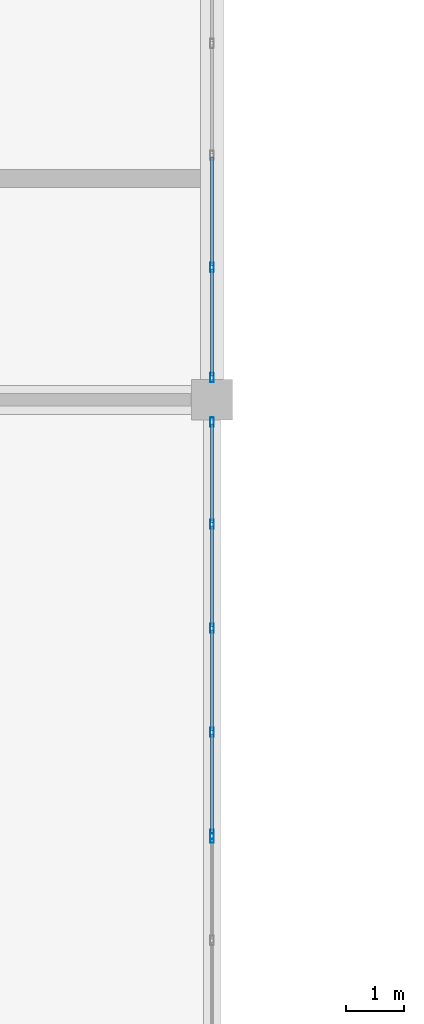
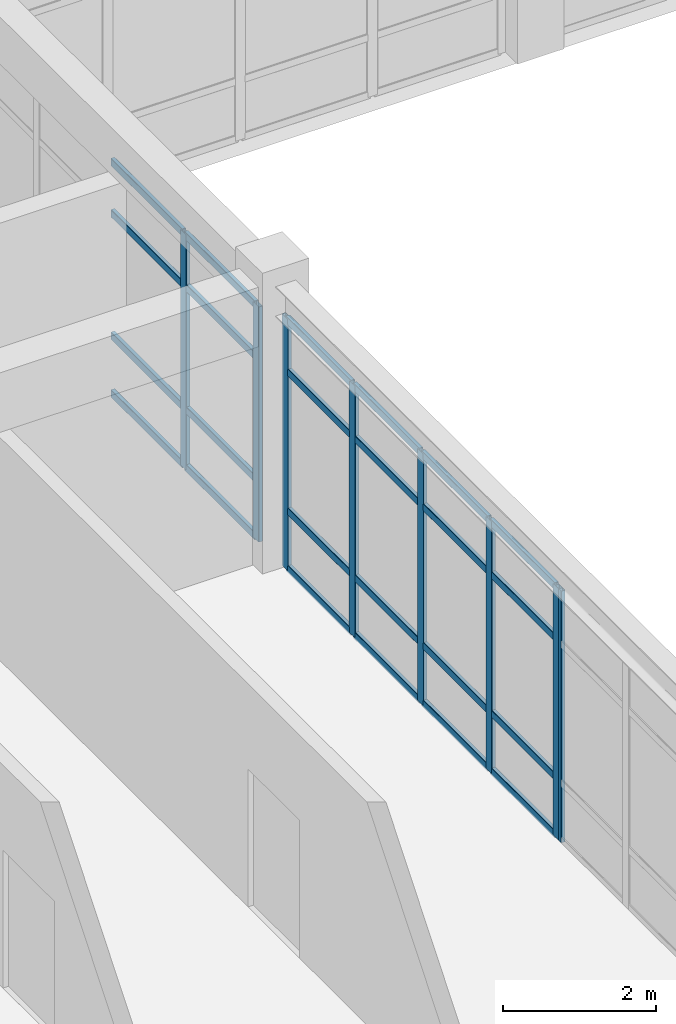
# One storey, part 38 of 64: 32 members, 3 elements without a shape of their own.
"""IFC4 building model written with IfcOpenShell, lengths in metres."""

from ifc_helpers import new_model, si_unit, derived_unit, direction, frame, origin, origin_2d, place, context, subcontext, project, spatial, hollow_rectangle, extrude, material, layer, layer_set, material_profile, profile_set, type_object, element, aggregate, save


model = new_model("IFC4")

# Units and contexts
model_context = context("Model", 3, precision=1e-05, world=origin(), true_north=direction((0.0, 1.0)))
body_context = subcontext(model_context, "Body", "Model", "MODEL_VIEW")
ifc_project = project(units=[si_unit("LENGTHUNIT", "METRE"), si_unit("AREAUNIT", "SQUARE_METRE"), si_unit("VOLUMEUNIT", "CUBIC_METRE"), si_unit("PLANEANGLEUNIT", "RADIAN"), si_unit("MASSUNIT", "GRAM", prefix="KILO"), derived_unit("THERMALTRANSMITTANCEUNIT", [(si_unit("MASSUNIT", "GRAM", prefix="KILO"), 1), (si_unit("TIMEUNIT", "SECOND"), -3), (si_unit("THERMODYNAMICTEMPERATUREUNIT", "KELVIN"), -1)])], contexts=[model_context])

# Site, building, storey
site_placement = place(None, origin())
site = spatial("IfcSite", under=ifc_project, at=site_placement, CompositionType="ELEMENT")
building_placement = place(site_placement, origin())
building = spatial("IfcBuilding", under=site, at=building_placement, Name="Qinzheling Arcade Emporium", CompositionType="ELEMENT")
storey_placement = place(building_placement, frame((0.0, 0.0, 31.5)))
storey = spatial("IfcBuildingStorey", under=building, at=storey_placement, Name="L07", CompositionType="ELEMENT", Elevation=31.5)

# Curtain wall, members
ifc_material_1 = material(Name="Anodised aluminium and solar-control double glazing", Category="aluminium")
ifc_layer = layer(ifc_material_1, 0.159912109375, Name="Anodised aluminium and solar-control double glazing", Category="aluminium")
ifc_layer_set = layer_set([ifc_layer], Name="Anodised aluminium and solar-control double glazing")
curtain_wall_type = type_object("IfcCurtainWallType", Name="Atrium Clerestory Curtain Wall", PredefinedType="NOTDEFINED", material=ifc_layer_set)
curtain_wall_1_placement = place(storey_placement, origin())
curtain_wall_1 = element("IfcCurtainWall", 1, at=curtain_wall_1_placement, inside=storey, type_object=curtain_wall_type, Name="Curtain Wall CW-L07-424", PredefinedType="NOTDEFINED")
ifc_material_2 = material(Name="Anodised aluminium 6063-T6", Category="aluminium")
ifc_material_profile_1 = material_profile(ifc_material_2, hollow_rectangle(XDim=0.06005859375, YDim=0.159912109375, WallThickness=0.00390625, InnerFilletRadius=0.00390625, OuterFilletRadius=0.008056640625, at=origin_2d()), Name="RHS 160x60x4", Category="aluminium")
ifc_profile_set_1 = profile_set([ifc_material_profile_1], Name="Anodised aluminium 6063-T6")
member_type_1 = type_object("IfcMemberType", Name="Curtain Wall Mullion RHS160x60", PredefinedType="MULLION", material=ifc_profile_set_1)
member_1_placement = place(storey_placement, frame((104.39990234375, 67.676025390625, 0.0), z_axis=(0.0, 0.0, 1.0), x_axis=(1.0, 0.0, 0.0)))
member_1 = element("IfcMember", 2, at=member_1_placement, type_object=member_type_1, Name="CW03 mullion 4", PredefinedType="MULLION", context=body_context, shape_type="SweptSolid", body=[
    extrude(hollow_rectangle(XDim=0.06005859375, YDim=0.159912109375, WallThickness=0.00390625, InnerFilletRadius=0.00390625, OuterFilletRadius=0.008056640625, at=origin_2d()), origin(), (0.0, 0.0, 1.0), 3.7548828125),
])
member_2_placement = place(storey_placement, frame((104.39990234375, 65.781982421875, 0.0), z_axis=(0.0, 0.0, 1.0), x_axis=(1.0, 0.0, 0.0)))
member_2 = element("IfcMember", 3, at=member_2_placement, type_object=member_type_1, Name="CW03 mullion 5", PredefinedType="MULLION", context=body_context, shape_type="SweptSolid", body=[
    extrude(hollow_rectangle(XDim=0.06005859375, YDim=0.159912109375, WallThickness=0.00390625, InnerFilletRadius=0.00390625, OuterFilletRadius=0.008056640625, at=origin_2d()), origin(), (0.0, 0.0, 1.0), 3.7548828125),
])

curtain_wall_2_placement = place(storey_placement, origin())
curtain_wall_2 = element("IfcCurtainWall", 4, at=curtain_wall_2_placement, inside=storey, type_object=curtain_wall_type, Name="Curtain Wall CW-L07-425", PredefinedType="NOTDEFINED")
member_3_placement = place(storey_placement, frame((104.39990234375, 65.01806640625, 0.0), z_axis=(0.0, 0.0, 1.0), x_axis=(1.0, 0.0, 0.0)))
member_3 = element("IfcMember", 5, at=member_3_placement, type_object=member_type_1, Name="CW03 mullion 1", PredefinedType="MULLION", context=body_context, shape_type="SweptSolid", body=[
    extrude(hollow_rectangle(XDim=0.06005859375, YDim=0.159912109375, WallThickness=0.00390625, InnerFilletRadius=0.00390625, OuterFilletRadius=0.008056640625, at=origin_2d()), origin(), (0.0, 0.0, 1.0), 4.01708984375),
])
member_4_placement = place(storey_placement, frame((104.39990234375, 63.261474609375, 0.0), z_axis=(0.0, 0.0, 1.0), x_axis=(1.0, 0.0, 0.0)))
member_4 = element("IfcMember", 6, at=member_4_placement, type_object=member_type_1, Name="CW03 mullion 2", PredefinedType="MULLION", context=body_context, shape_type="SweptSolid", body=[
    extrude(hollow_rectangle(XDim=0.06005859375, YDim=0.159912109375, WallThickness=0.00390625, InnerFilletRadius=0.00390625, OuterFilletRadius=0.008056640625, at=origin_2d()), origin(), (0.0, 0.0, 1.0), 4.01708984375),
])
member_5_placement = place(storey_placement, frame((104.39990234375, 61.47509765625, 0.0), z_axis=(0.0, 0.0, 1.0), x_axis=(1.0, 0.0, 0.0)))
member_5 = element("IfcMember", 7, at=member_5_placement, type_object=member_type_1, Name="CW03 mullion 3", PredefinedType="MULLION", context=body_context, shape_type="SweptSolid", body=[
    extrude(hollow_rectangle(XDim=0.06005859375, YDim=0.159912109375, WallThickness=0.00390625, InnerFilletRadius=0.00390625, OuterFilletRadius=0.008056640625, at=origin_2d()), origin(), (0.0, 0.0, 1.0), 4.01708984375),
])
member_6_placement = place(storey_placement, frame((104.39990234375, 59.6884765625, 0.0), z_axis=(0.0, 0.0, 1.0), x_axis=(1.0, 0.0, 0.0)))
member_6 = element("IfcMember", 8, at=member_6_placement, type_object=member_type_1, Name="CW03 mullion 4", PredefinedType="MULLION", context=body_context, shape_type="SweptSolid", body=[
    extrude(hollow_rectangle(XDim=0.06005859375, YDim=0.159912109375, WallThickness=0.00390625, InnerFilletRadius=0.00390625, OuterFilletRadius=0.008056640625, at=origin_2d()), origin(), (0.0, 0.0, 1.0), 4.01708984375),
])
member_7_placement = place(storey_placement, frame((104.39990234375, 57.931884765625, 0.0), z_axis=(0.0, 0.0, 1.0), x_axis=(1.0, 0.0, 0.0)))
member_7 = element("IfcMember", 9, at=member_7_placement, type_object=member_type_1, Name="CW03 mullion 5", PredefinedType="MULLION", context=body_context, shape_type="SweptSolid", body=[
    extrude(hollow_rectangle(XDim=0.06005859375, YDim=0.159912109375, WallThickness=0.00390625, InnerFilletRadius=0.00390625, OuterFilletRadius=0.008056640625, at=origin_2d()), origin(), (0.0, 0.0, 1.0), 4.01708984375),
])

# Curtain wall, member
curtain_wall_3_placement = place(storey_placement, origin())
curtain_wall_3 = element("IfcCurtainWall", 10, at=curtain_wall_3_placement, inside=storey, type_object=curtain_wall_type, Name="Curtain Wall CW-L07-426", PredefinedType="NOTDEFINED")
member_8_placement = place(storey_placement, frame((104.39990234375, 57.867919921875, 0.0), z_axis=(0.0, 0.0, 1.0), x_axis=(1.0, 0.0, 0.0)))
member_8 = element("IfcMember", 11, at=member_8_placement, type_object=member_type_1, Name="CW03 mullion 1", PredefinedType="MULLION", context=body_context, shape_type="SweptSolid", body=[
    extrude(hollow_rectangle(XDim=0.06005859375, YDim=0.159912109375, WallThickness=0.00390625, InnerFilletRadius=0.00390625, OuterFilletRadius=0.008056640625, at=origin_2d()), origin(), (0.0, 0.0, 1.0), 4.01708984375),
])
aggregate(curtain_wall_3, [member_8])

# Member
ifc_material_profile_2 = material_profile(ifc_material_2, hollow_rectangle(XDim=0.06005859375, YDim=0.1201171875, WallThickness=0.00390625, InnerFilletRadius=0.00390625, OuterFilletRadius=0.008056640625, at=origin_2d()), Name="RHS 120x60x4", Category="aluminium")
ifc_profile_set_2 = profile_set([ifc_material_profile_2], Name="Anodised aluminium 6063-T6")
member_type_2 = type_object("IfcMemberType", Name="Curtain Wall Transom RHS120x60", PredefinedType="USERDEFINED", material=ifc_profile_set_2)
member_9_placement = place(storey_placement, frame((104.39990234375, 69.570068359375, 0.030029296875), z_axis=(0.0, -1.0, 0.0), x_axis=(1.0, 0.0, 0.0)))
member_9 = element("IfcMember", 12, at=member_9_placement, type_object=member_type_2, Name="CW03 transom 3.1", ObjectType="TRANSOM", PredefinedType="USERDEFINED", context=body_context, shape_type="SweptSolid", body=[
    extrude(hollow_rectangle(XDim=0.06005859375, YDim=0.1201171875, WallThickness=0.00390625, InnerFilletRadius=0.00390625, OuterFilletRadius=0.008056640625, at=origin_2d()), origin(), (0.0, 0.0, 1.0), 1.864013671875),
])

member_10_placement = place(storey_placement, frame((104.39990234375, 69.570068359375, 0.949951171875), z_axis=(0.0, -1.0, 0.0), x_axis=(1.0, 0.0, 0.0)))
member_10 = element("IfcMember", 13, at=member_10_placement, type_object=member_type_2, Name="CW03 transom 3.2", ObjectType="TRANSOM", PredefinedType="USERDEFINED", context=body_context, shape_type="SweptSolid", body=[
    extrude(hollow_rectangle(XDim=0.06005859375, YDim=0.1201171875, WallThickness=0.00390625, InnerFilletRadius=0.00390625, OuterFilletRadius=0.008056640625, at=origin_2d()), origin(), (0.0, 0.0, 1.0), 1.864013671875),
])

member_11_placement = place(storey_placement, frame((104.39990234375, 69.570068359375, 2.905029296875), z_axis=(0.0, -1.0, 0.0), x_axis=(1.0, 0.0, 0.0)))
member_11 = element("IfcMember", 14, at=member_11_placement, type_object=member_type_2, Name="CW03 transom 3.3", ObjectType="TRANSOM", PredefinedType="USERDEFINED", context=body_context, shape_type="SweptSolid", body=[
    extrude(hollow_rectangle(XDim=0.06005859375, YDim=0.1201171875, WallThickness=0.00390625, InnerFilletRadius=0.00390625, OuterFilletRadius=0.008056640625, at=origin_2d()), origin(), (0.0, 0.0, 1.0), 1.864013671875),
])

member_12_placement = place(storey_placement, frame((104.39990234375, 69.570068359375, 3.72509765625), z_axis=(0.0, -1.0, 0.0), x_axis=(1.0, 0.0, 0.0)))
member_12 = element("IfcMember", 15, at=member_12_placement, type_object=member_type_2, Name="CW03 transom 3.4", ObjectType="TRANSOM", PredefinedType="USERDEFINED", context=body_context, shape_type="SweptSolid", body=[
    extrude(hollow_rectangle(XDim=0.06005859375, YDim=0.1201171875, WallThickness=0.00390625, InnerFilletRadius=0.00390625, OuterFilletRadius=0.008056640625, at=origin_2d()), origin(), (0.0, 0.0, 1.0), 1.864013671875),
])

member_13_placement = place(storey_placement, frame((104.39990234375, 67.64599609375, 0.030029296875), z_axis=(0.0, -1.0, 0.0), x_axis=(1.0, 0.0, 0.0)))
member_13 = element("IfcMember", 16, at=member_13_placement, type_object=member_type_2, Name="CW03 transom 4.1", ObjectType="TRANSOM", PredefinedType="USERDEFINED", context=body_context, shape_type="SweptSolid", body=[
    extrude(hollow_rectangle(XDim=0.06005859375, YDim=0.1201171875, WallThickness=0.00390625, InnerFilletRadius=0.00390625, OuterFilletRadius=0.008056640625, at=origin_2d()), origin(), (0.0, 0.0, 1.0), 1.833984375),
])

member_14_placement = place(storey_placement, frame((104.39990234375, 67.64599609375, 0.949951171875), z_axis=(0.0, -1.0, 0.0), x_axis=(1.0, 0.0, 0.0)))
member_14 = element("IfcMember", 17, at=member_14_placement, type_object=member_type_2, Name="CW03 transom 4.2", ObjectType="TRANSOM", PredefinedType="USERDEFINED", context=body_context, shape_type="SweptSolid", body=[
    extrude(hollow_rectangle(XDim=0.06005859375, YDim=0.1201171875, WallThickness=0.00390625, InnerFilletRadius=0.00390625, OuterFilletRadius=0.008056640625, at=origin_2d()), origin(), (0.0, 0.0, 1.0), 1.833984375),
])

member_15_placement = place(storey_placement, frame((104.39990234375, 67.64599609375, 2.905029296875), z_axis=(0.0, -1.0, 0.0), x_axis=(1.0, 0.0, 0.0)))
member_15 = element("IfcMember", 18, at=member_15_placement, type_object=member_type_2, Name="CW03 transom 4.3", ObjectType="TRANSOM", PredefinedType="USERDEFINED", context=body_context, shape_type="SweptSolid", body=[
    extrude(hollow_rectangle(XDim=0.06005859375, YDim=0.1201171875, WallThickness=0.00390625, InnerFilletRadius=0.00390625, OuterFilletRadius=0.008056640625, at=origin_2d()), origin(), (0.0, 0.0, 1.0), 1.833984375),
])

member_16_placement = place(storey_placement, frame((104.39990234375, 67.64599609375, 3.72509765625), z_axis=(0.0, -1.0, 0.0), x_axis=(1.0, 0.0, 0.0)))
member_16 = element("IfcMember", 19, at=member_16_placement, type_object=member_type_2, Name="CW03 transom 4.4", ObjectType="TRANSOM", PredefinedType="USERDEFINED", context=body_context, shape_type="SweptSolid", body=[
    extrude(hollow_rectangle(XDim=0.06005859375, YDim=0.1201171875, WallThickness=0.00390625, InnerFilletRadius=0.00390625, OuterFilletRadius=0.008056640625, at=origin_2d()), origin(), (0.0, 0.0, 1.0), 1.833984375),
])

aggregate(curtain_wall_1, [member_1, member_2, member_9, member_10, member_11, member_12, member_13, member_14, member_15, member_16])

member_17_placement = place(storey_placement, frame((104.39990234375, 64.988037109375, 0.030029296875), z_axis=(0.0, -1.0, 0.0), x_axis=(1.0, 0.0, 0.0)))
member_17 = element("IfcMember", 20, at=member_17_placement, type_object=member_type_2, Name="CW03 transom 1.1", ObjectType="TRANSOM", PredefinedType="USERDEFINED", context=body_context, shape_type="SweptSolid", body=[
    extrude(hollow_rectangle(XDim=0.06005859375, YDim=0.1201171875, WallThickness=0.00390625, InnerFilletRadius=0.00390625, OuterFilletRadius=0.008056640625, at=origin_2d()), origin(), (0.0, 0.0, 1.0), 1.696533203125),
])

member_18_placement = place(storey_placement, frame((104.39990234375, 64.988037109375, 0.949951171875), z_axis=(0.0, -1.0, 0.0), x_axis=(1.0, 0.0, 0.0)))
member_18 = element("IfcMember", 21, at=member_18_placement, type_object=member_type_2, Name="CW03 transom 1.2", ObjectType="TRANSOM", PredefinedType="USERDEFINED", context=body_context, shape_type="SweptSolid", body=[
    extrude(hollow_rectangle(XDim=0.06005859375, YDim=0.1201171875, WallThickness=0.00390625, InnerFilletRadius=0.00390625, OuterFilletRadius=0.008056640625, at=origin_2d()), origin(), (0.0, 0.0, 1.0), 1.696533203125),
])

member_19_placement = place(storey_placement, frame((104.39990234375, 64.988037109375, 3.1669921875), z_axis=(0.0, -1.0, 0.0), x_axis=(1.0, 0.0, 0.0)))
member_19 = element("IfcMember", 22, at=member_19_placement, type_object=member_type_2, Name="CW03 transom 1.3", ObjectType="TRANSOM", PredefinedType="USERDEFINED", context=body_context, shape_type="SweptSolid", body=[
    extrude(hollow_rectangle(XDim=0.06005859375, YDim=0.1201171875, WallThickness=0.00390625, InnerFilletRadius=0.00390625, OuterFilletRadius=0.008056640625, at=origin_2d()), origin(), (0.0, 0.0, 1.0), 1.696533203125),
])

member_20_placement = place(storey_placement, frame((104.39990234375, 64.988037109375, 3.987060546875), z_axis=(0.0, -1.0, 0.0), x_axis=(1.0, 0.0, 0.0)))
member_20 = element("IfcMember", 23, at=member_20_placement, type_object=member_type_2, Name="CW03 transom 1.4", ObjectType="TRANSOM", PredefinedType="USERDEFINED", context=body_context, shape_type="SweptSolid", body=[
    extrude(hollow_rectangle(XDim=0.06005859375, YDim=0.1201171875, WallThickness=0.00390625, InnerFilletRadius=0.00390625, OuterFilletRadius=0.008056640625, at=origin_2d()), origin(), (0.0, 0.0, 1.0), 1.696533203125),
])

member_21_placement = place(storey_placement, frame((104.39990234375, 63.2314453125, 0.030029296875), z_axis=(0.0, -1.0, 0.0), x_axis=(1.0, 0.0, 0.0)))
member_21 = element("IfcMember", 24, at=member_21_placement, type_object=member_type_2, Name="CW03 transom 2.1", ObjectType="TRANSOM", PredefinedType="USERDEFINED", context=body_context, shape_type="SweptSolid", body=[
    extrude(hollow_rectangle(XDim=0.06005859375, YDim=0.1201171875, WallThickness=0.00390625, InnerFilletRadius=0.00390625, OuterFilletRadius=0.008056640625, at=origin_2d()), origin(), (0.0, 0.0, 1.0), 1.7265625),
])

member_22_placement = place(storey_placement, frame((104.39990234375, 63.2314453125, 0.949951171875), z_axis=(0.0, -1.0, 0.0), x_axis=(1.0, 0.0, 0.0)))
member_22 = element("IfcMember", 25, at=member_22_placement, type_object=member_type_2, Name="CW03 transom 2.2", ObjectType="TRANSOM", PredefinedType="USERDEFINED", context=body_context, shape_type="SweptSolid", body=[
    extrude(hollow_rectangle(XDim=0.06005859375, YDim=0.1201171875, WallThickness=0.00390625, InnerFilletRadius=0.00390625, OuterFilletRadius=0.008056640625, at=origin_2d()), origin(), (0.0, 0.0, 1.0), 1.7265625),
])

member_23_placement = place(storey_placement, frame((104.39990234375, 63.2314453125, 3.1669921875), z_axis=(0.0, -1.0, 0.0), x_axis=(1.0, 0.0, 0.0)))
member_23 = element("IfcMember", 26, at=member_23_placement, type_object=member_type_2, Name="CW03 transom 2.3", ObjectType="TRANSOM", PredefinedType="USERDEFINED", context=body_context, shape_type="SweptSolid", body=[
    extrude(hollow_rectangle(XDim=0.06005859375, YDim=0.1201171875, WallThickness=0.00390625, InnerFilletRadius=0.00390625, OuterFilletRadius=0.008056640625, at=origin_2d()), origin(), (0.0, 0.0, 1.0), 1.7265625),
])

member_24_placement = place(storey_placement, frame((104.39990234375, 63.2314453125, 3.987060546875), z_axis=(0.0, -1.0, 0.0), x_axis=(1.0, 0.0, 0.0)))
member_24 = element("IfcMember", 27, at=member_24_placement, type_object=member_type_2, Name="CW03 transom 2.4", ObjectType="TRANSOM", PredefinedType="USERDEFINED", context=body_context, shape_type="SweptSolid", body=[
    extrude(hollow_rectangle(XDim=0.06005859375, YDim=0.1201171875, WallThickness=0.00390625, InnerFilletRadius=0.00390625, OuterFilletRadius=0.008056640625, at=origin_2d()), origin(), (0.0, 0.0, 1.0), 1.7265625),
])

member_25_placement = place(storey_placement, frame((104.39990234375, 61.445068359375, 0.030029296875), z_axis=(0.0, -1.0, 0.0), x_axis=(1.0, 0.0, 0.0)))
member_25 = element("IfcMember", 28, at=member_25_placement, type_object=member_type_2, Name="CW03 transom 3.1", ObjectType="TRANSOM", PredefinedType="USERDEFINED", context=body_context, shape_type="SweptSolid", body=[
    extrude(hollow_rectangle(XDim=0.06005859375, YDim=0.1201171875, WallThickness=0.00390625, InnerFilletRadius=0.00390625, OuterFilletRadius=0.008056640625, at=origin_2d()), origin(), (0.0, 0.0, 1.0), 1.7265625),
])

member_26_placement = place(storey_placement, frame((104.39990234375, 61.445068359375, 0.949951171875), z_axis=(0.0, -1.0, 0.0), x_axis=(1.0, 0.0, 0.0)))
member_26 = element("IfcMember", 29, at=member_26_placement, type_object=member_type_2, Name="CW03 transom 3.2", ObjectType="TRANSOM", PredefinedType="USERDEFINED", context=body_context, shape_type="SweptSolid", body=[
    extrude(hollow_rectangle(XDim=0.06005859375, YDim=0.1201171875, WallThickness=0.00390625, InnerFilletRadius=0.00390625, OuterFilletRadius=0.008056640625, at=origin_2d()), origin(), (0.0, 0.0, 1.0), 1.7265625),
])

member_27_placement = place(storey_placement, frame((104.39990234375, 61.445068359375, 3.1669921875), z_axis=(0.0, -1.0, 0.0), x_axis=(1.0, 0.0, 0.0)))
member_27 = element("IfcMember", 30, at=member_27_placement, type_object=member_type_2, Name="CW03 transom 3.3", ObjectType="TRANSOM", PredefinedType="USERDEFINED", context=body_context, shape_type="SweptSolid", body=[
    extrude(hollow_rectangle(XDim=0.06005859375, YDim=0.1201171875, WallThickness=0.00390625, InnerFilletRadius=0.00390625, OuterFilletRadius=0.008056640625, at=origin_2d()), origin(), (0.0, 0.0, 1.0), 1.7265625),
])

member_28_placement = place(storey_placement, frame((104.39990234375, 61.445068359375, 3.987060546875), z_axis=(0.0, -1.0, 0.0), x_axis=(1.0, 0.0, 0.0)))
member_28 = element("IfcMember", 31, at=member_28_placement, type_object=member_type_2, Name="CW03 transom 3.4", ObjectType="TRANSOM", PredefinedType="USERDEFINED", context=body_context, shape_type="SweptSolid", body=[
    extrude(hollow_rectangle(XDim=0.06005859375, YDim=0.1201171875, WallThickness=0.00390625, InnerFilletRadius=0.00390625, OuterFilletRadius=0.008056640625, at=origin_2d()), origin(), (0.0, 0.0, 1.0), 1.7265625),
])

member_29_placement = place(storey_placement, frame((104.39990234375, 59.658447265625, 0.030029296875), z_axis=(0.0, -1.0, 0.0), x_axis=(1.0, 0.0, 0.0)))
member_29 = element("IfcMember", 32, at=member_29_placement, type_object=member_type_2, Name="CW03 transom 4.1", ObjectType="TRANSOM", PredefinedType="USERDEFINED", context=body_context, shape_type="SweptSolid", body=[
    extrude(hollow_rectangle(XDim=0.06005859375, YDim=0.1201171875, WallThickness=0.00390625, InnerFilletRadius=0.00390625, OuterFilletRadius=0.008056640625, at=origin_2d()), origin(), (0.0, 0.0, 1.0), 1.696533203125),
])

member_30_placement = place(storey_placement, frame((104.39990234375, 59.658447265625, 0.949951171875), z_axis=(0.0, -1.0, 0.0), x_axis=(1.0, 0.0, 0.0)))
member_30 = element("IfcMember", 33, at=member_30_placement, type_object=member_type_2, Name="CW03 transom 4.2", ObjectType="TRANSOM", PredefinedType="USERDEFINED", context=body_context, shape_type="SweptSolid", body=[
    extrude(hollow_rectangle(XDim=0.06005859375, YDim=0.1201171875, WallThickness=0.00390625, InnerFilletRadius=0.00390625, OuterFilletRadius=0.008056640625, at=origin_2d()), origin(), (0.0, 0.0, 1.0), 1.696533203125),
])

member_31_placement = place(storey_placement, frame((104.39990234375, 59.658447265625, 3.1669921875), z_axis=(0.0, -1.0, 0.0), x_axis=(1.0, 0.0, 0.0)))
member_31 = element("IfcMember", 34, at=member_31_placement, type_object=member_type_2, Name="CW03 transom 4.3", ObjectType="TRANSOM", PredefinedType="USERDEFINED", context=body_context, shape_type="SweptSolid", body=[
    extrude(hollow_rectangle(XDim=0.06005859375, YDim=0.1201171875, WallThickness=0.00390625, InnerFilletRadius=0.00390625, OuterFilletRadius=0.008056640625, at=origin_2d()), origin(), (0.0, 0.0, 1.0), 1.696533203125),
])

member_32_placement = place(storey_placement, frame((104.39990234375, 59.658447265625, 3.987060546875), z_axis=(0.0, -1.0, 0.0), x_axis=(1.0, 0.0, 0.0)))
member_32 = element("IfcMember", 35, at=member_32_placement, type_object=member_type_2, Name="CW03 transom 4.4", ObjectType="TRANSOM", PredefinedType="USERDEFINED", context=body_context, shape_type="SweptSolid", body=[
    extrude(hollow_rectangle(XDim=0.06005859375, YDim=0.1201171875, WallThickness=0.00390625, InnerFilletRadius=0.00390625, OuterFilletRadius=0.008056640625, at=origin_2d()), origin(), (0.0, 0.0, 1.0), 1.696533203125),
])

aggregate(curtain_wall_2, [member_3, member_4, member_5, member_6, member_7, member_17, member_18, member_19, member_20, member_21, member_22, member_23, member_24, member_25, member_26, member_27, member_28, member_29, member_30, member_31, member_32])

save(model, "model.ifc")
